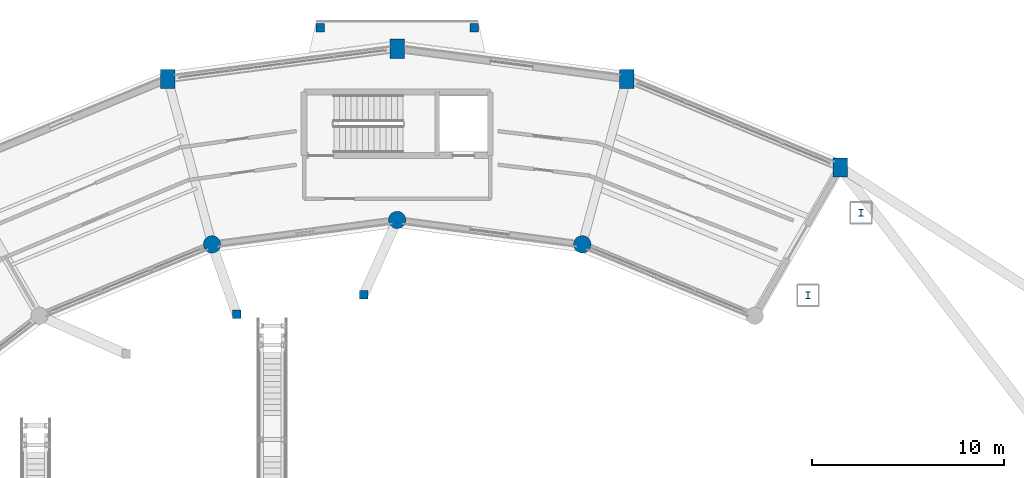
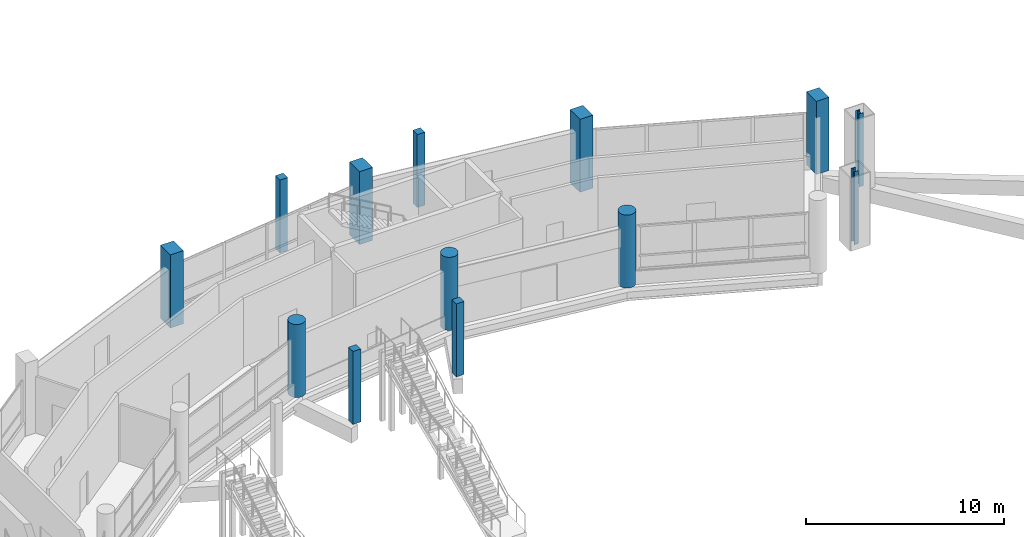
# One storey, part 11 of 129: 13 columns.
"""IFC4 building model written with IfcOpenShell, lengths in metres."""

from ifc_helpers import new_model, si_unit, direction, frame, origin, origin_2d, place, context, subcontext, project, spatial, rectangle, circle, i_section, extrude, material, material_profile, profile_set, type_object, element, save


model = new_model("IFC4")

# Units and contexts
model_context = context("Model", 3, precision=1e-05, world=origin(), true_north=direction((0.0, 1.0)))
body_context = subcontext(model_context, "Body", "Model", "MODEL_VIEW")
ifc_project = project(units=[si_unit("LENGTHUNIT", "METRE"), si_unit("AREAUNIT", "SQUARE_METRE"), si_unit("VOLUMEUNIT", "CUBIC_METRE"), si_unit("PLANEANGLEUNIT", "RADIAN"), si_unit("MASSUNIT", "GRAM", prefix="KILO")], contexts=[model_context])

# Site, building, storey
site_placement = place(None, origin())
site = spatial("IfcSite", under=ifc_project, at=site_placement, CompositionType="ELEMENT")
building_placement = place(site_placement, origin())
building = spatial("IfcBuilding", under=site, at=building_placement, Name="Vespera Passage Community Centre", CompositionType="ELEMENT")
storey_placement = place(building_placement, origin())
storey = spatial("IfcBuildingStorey", under=building, at=storey_placement, Name="L00", CompositionType="ELEMENT", Elevation=0.0)

# Columns
ifc_material_1 = material(Name="Concrete f'c 45 MPa", Category="concrete")
ifc_material_profile_1 = material_profile(ifc_material_1, rectangle(XDim=0.75, YDim=1.0, at=origin_2d()), Name="RC1000X750")
ifc_profile_set_1 = profile_set([ifc_material_profile_1], Name="Concrete f'c 45 MPa")
column_type_1 = type_object("IfcColumnType", Name="COL-RC1000X750E", PredefinedType="COLUMN", material=ifc_profile_set_1)
for number, where, z_axis, x_axis, name in (
    (1, (101.050048828125, 105.423828125, 0.0), (0.0, 0.0, 1.0), (1.0, 0.0, 0.0), "L00 Column V4-O04"),
    (2, (89.931640625, 110.029296875, 0.0), (0.0, 0.0, 1.0), (1.0, 0.0, 0.0), "L00 Column V4-O05"),
    (3, (78.0, 111.60009765625, 0.0), (0.0, 0.0, 1.0), (1.0, 0.0, 0.0), "L00 Column V4-O06"),
    (4, (66.068359375, 110.029296875, 0.0), (0.0, 0.0, 1.0), (1.0, 0.0, 0.0), "L00 Column V4-O07"),
):
    element("IfcColumn", number, at=place(storey_placement, frame(where, z_axis=z_axis, x_axis=x_axis)), inside=storey, type_object=column_type_1, Name=name, PredefinedType="COLUMN", context=body_context, shape_type="SweptSolid", body=[
        extrude(rectangle(XDim=0.75, YDim=1.0, at=origin_2d()), origin(), (0.0, 0.0, 1.0), 4.5),
    ])
ifc_material_2 = material(Name="Concrete f'c 45 MPa", Category="concrete")
ifc_material_profile_2 = material_profile(ifc_material_2, rectangle(XDim=0.449951171875, YDim=0.449951171875, at=origin_2d()), Name="RC450X450")
ifc_profile_set_2 = profile_set([ifc_material_profile_2], Name="Concrete f'c 45 MPa")
column_type_2 = type_object("IfcColumnType", Name="COL-RC450E", PredefinedType="COLUMN", material=ifc_profile_set_2)
for number, where, z_axis, x_axis, name in (
    (5, (76.254638671875, 98.80419921875, 0.0), (0.0, 0.0, 1.0), (1.0, 0.0, 0.0), "L00 Column CTERR-C01"),
    (6, (69.64990234375, 97.78759765625, 0.0), (0.0, 0.0, 1.0), (1.0, 0.0, 0.0), "L00 Column CTERR-C02"),
    (7, (74.0, 112.699951171875, 0.0), (0.0, 0.0, 1.0), (1.0, 0.0, 0.0), "L00 Column NP-P01"),
    (8, (82.0, 112.699951171875, 0.0), (0.0, 0.0, 1.0), (1.0, 0.0, 0.0), "L00 Column NP-P03"),
):
    element("IfcColumn", number, at=place(storey_placement, frame(where, z_axis=z_axis, x_axis=x_axis)), inside=storey, type_object=column_type_2, Name=name, PredefinedType="COLUMN", context=body_context, shape_type="SweptSolid", body=[
        extrude(rectangle(XDim=0.449951171875, YDim=0.449951171875, at=origin_2d()), origin(), (0.0, 0.0, 1.0), 4.5),
    ])
ifc_material_3 = material(Name="Concrete f'c 45 MPa", Category="concrete")
ifc_material_profile_3 = material_profile(ifc_material_3, circle(Radius=0.449951171875, at=origin_2d()), Name="RC900DIA")
ifc_profile_set_3 = profile_set([ifc_material_profile_3], Name="Concrete f'c 45 MPa")
column_type_3 = type_object("IfcColumnType", Name="COL-RC900DIAE", PredefinedType="COLUMN", material=ifc_profile_set_3)
for number, where, z_axis, x_axis, name in (
    (9, (87.628173828125, 101.432373046875, 0.0), (0.0, 0.0, 1.0), (1.0, 0.0, 0.0), "L00 Column V4-I05"),
    (10, (78.0, 102.699951171875, 0.0), (0.0, 0.0, 1.0), (1.0, 0.0, 0.0), "L00 Column V4-I06"),
    (11, (68.371826171875, 101.432373046875, 0.0), (0.0, 0.0, 1.0), (1.0, 0.0, 0.0), "L00 Column V4-I07"),
):
    element("IfcColumn", number, at=place(storey_placement, frame(where, z_axis=z_axis, x_axis=x_axis)), inside=storey, type_object=column_type_3, Name=name, PredefinedType="COLUMN", context=body_context, shape_type="SweptSolid", body=[
        extrude(circle(Radius=0.449951171875, at=origin_2d()), origin(), (0.0, 0.0, 1.0), 4.5),
    ])
ifc_material_4 = material(Name="Steel ASTM A992 Grade 50", Category="steel")
ifc_material_profile_4 = material_profile(ifc_material_4, i_section(OverallWidth=0.2548828125, OverallDepth=0.356689453125, WebThickness=0.010498046875, FlangeThickness=0.018310546875, FilletRadius=0.01513671875, at=origin_2d()), Name="W14X68")
ifc_profile_set_4 = profile_set([ifc_material_profile_4], Name="Steel ASTM A992 Grade 50")
column_type_4 = type_object("IfcColumnType", Name="COL-W14X68I", PredefinedType="COLUMN", material=ifc_profile_set_4)
for number, where, z_axis, x_axis, name in (
    (12, (99.366455078125, 98.78173828125, 0.0), (0.0, 0.0, 1.0), (1.0, 0.0, 0.0), "L00 Column TRANC-I038"),
    (13, (102.12158203125, 103.073486328125, 0.0), (0.0, 0.0, 1.0), (1.0, 0.0, 0.0), "L00 Column TRANC-O038"),
):
    element("IfcColumn", number, at=place(storey_placement, frame(where, z_axis=z_axis, x_axis=x_axis)), inside=storey, type_object=column_type_4, Name=name, PredefinedType="COLUMN", context=body_context, shape_type="SweptSolid", body=[
        extrude(i_section(OverallWidth=0.2548828125, OverallDepth=0.356689453125, WebThickness=0.010498046875, FlangeThickness=0.018310546875, FilletRadius=0.01513671875, at=origin_2d()), origin(), (0.0, 0.0, 1.0), 4.5),
    ])

save(model, "model.ifc")
